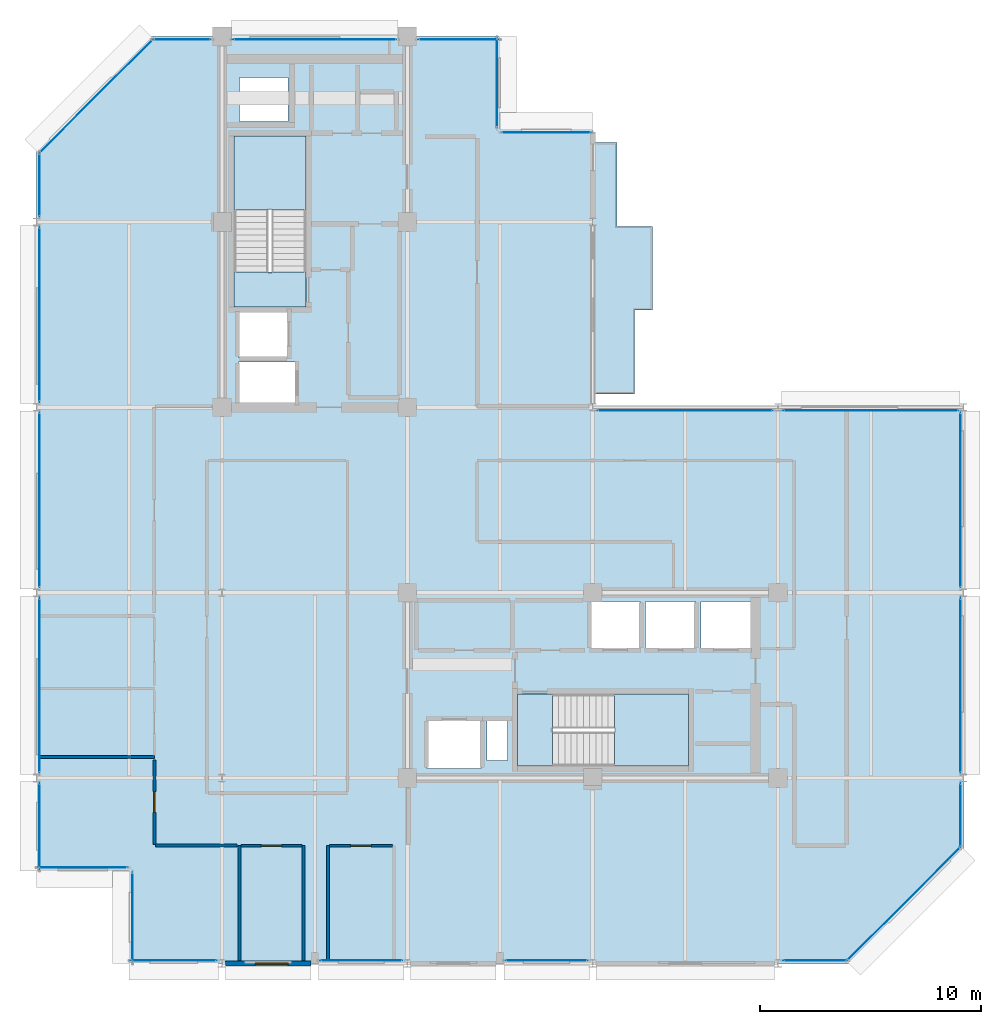
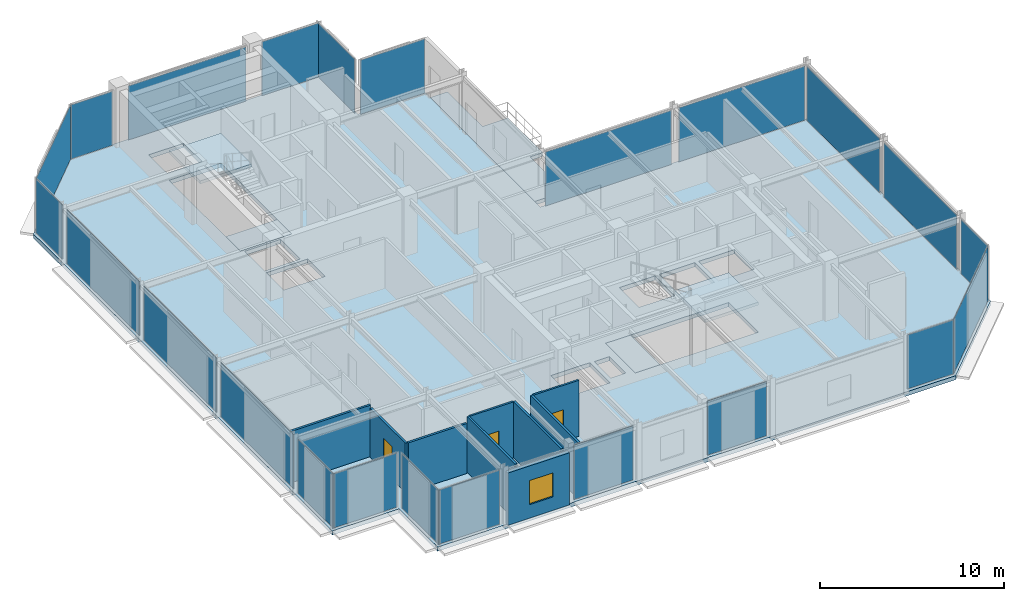
# One storey, part 20 of 27: 23 plates, 9 walls, 6 slabs, 3 doors, 1 window, 4 openings, 25 elements without a shape of their own.
"""IFC4 building model written with IfcOpenShell, lengths in metres."""

from ifc_helpers import new_model, si_unit, direction, frame, frame_2d, origin, origin_2d, place, context, subcontext, project, spatial, polyline, rectangle, outline, extrude, material, layer, layer_set, type_object, element, fill, aggregate, save


model = new_model("IFC4")

# Units and contexts
model_context = context("Model", 3, precision=1e-05, world=origin(), true_north=direction((0.0, 1.0)))
body_context = subcontext(model_context, "Body", "Model", "MODEL_VIEW")
ifc_project = project(units=[si_unit("LENGTHUNIT", "METRE"), si_unit("AREAUNIT", "SQUARE_METRE"), si_unit("VOLUMEUNIT", "CUBIC_METRE"), si_unit("PLANEANGLEUNIT", "RADIAN"), si_unit("MASSUNIT", "GRAM", prefix="KILO")], contexts=[model_context])

# Site, building, storey
site_placement = place(None, origin())
site = spatial("IfcSite", under=ifc_project, at=site_placement, CompositionType="ELEMENT")
building_placement = place(site_placement, origin())
building = spatial("IfcBuilding", under=site, at=building_placement, Name="Nerrivon Quay Data Exchange", CompositionType="ELEMENT")
storey_placement = place(building_placement, frame((0.0, 0.0, 278.199951171875)))
storey = spatial("IfcBuildingStorey", under=building, at=storey_placement, Name="L66", CompositionType="ELEMENT", Elevation=278.199951171875)

# Curtain wall, plate
ifc_material_1 = material(Name="Anodised aluminium 6063-T6", Category="aluminium")
ifc_layer_1 = layer(ifc_material_1, 0.195068359375)
ifc_layer_set_1 = layer_set([ifc_layer_1], Name="Anodised aluminium 6063-T6")
curtain_wall_type = type_object("IfcCurtainWallType", Name="CW-SYS-06", PredefinedType="NOTDEFINED", material=ifc_layer_set_1)
curtain_wall_1_placement = place(storey_placement, origin())
curtain_wall_1 = element("IfcCurtainWall", 1, at=curtain_wall_1_placement, inside=storey, type_object=curtain_wall_type, Name="L66 Unitised Curtain Wall 1", PredefinedType="NOTDEFINED")
ifc_material_2 = material(Name="Double-glazed low-E solar control glass", Category="glass")
ifc_layer_2 = layer(ifc_material_2, 0.028076171875)
ifc_layer_set_2 = layer_set([ifc_layer_2], Name="Double-glazed low-E solar control glass")
plate_type = type_object("IfcPlateType", Name="CWP-GLZ-28", PredefinedType="CURTAIN_PANEL", material=ifc_layer_set_2)
plate_1_placement = place(storey_placement, frame((39.301025390625, 2.698974609375, 0.06494140625), z_axis=(0.0, 0.0, 1.0), x_axis=(-0.707106781187, -0.707106781187, 0.0)))
plate_1 = element("IfcPlate", 2, at=plate_1_placement, type_object=plate_type, Name="CW06 panel 1.1", PredefinedType="CURTAIN_PANEL", context=body_context, shape_type="SweptSolid", body=[
    extrude(rectangle(XDim=7.203857421875, YDim=0.028076171875, at=origin_2d()), origin(), (0.0, 0.0, 1.0), 3.594970703125),
])
aggregate(curtain_wall_1, [plate_1])

curtain_wall_2_placement = place(storey_placement, origin())
curtain_wall_2 = element("IfcCurtainWall", 3, at=curtain_wall_2_placement, inside=storey, type_object=curtain_wall_type, Name="L66 Unitised Curtain Wall 2", PredefinedType="NOTDEFINED")
plate_2_placement = place(storey_placement, frame((35.27783203125, 0.139892578125, 0.06494140625), z_axis=(0.0, 0.0, 1.0), x_axis=(-1.0, 0.0, 0.0)))
plate_2 = element("IfcPlate", 4, at=plate_2_placement, type_object=plate_type, Name="CW06 panel 1.1", PredefinedType="CURTAIN_PANEL", context=body_context, shape_type="SweptSolid", body=[
    extrude(rectangle(XDim=2.89453125, YDim=0.028076171875, at=origin_2d()), origin(), (0.0, 0.0, 1.0), 3.594970703125),
])
aggregate(curtain_wall_2, [plate_2])

curtain_wall_3_placement = place(storey_placement, origin())
curtain_wall_3 = element("IfcCurtainWall", 5, at=curtain_wall_3_placement, inside=storey, type_object=curtain_wall_type, Name="L66 Unitised Curtain Wall 4", PredefinedType="NOTDEFINED")
plate_3_placement = place(storey_placement, frame((23.10986328125, 0.139892578125, 0.06494140625), z_axis=(0.0, 0.0, 1.0), x_axis=(-1.0, 0.0, 0.0)))
plate_3 = element("IfcPlate", 6, at=plate_3_placement, type_object=plate_type, Name="CW06 panel 1.1", PredefinedType="CURTAIN_PANEL", context=body_context, shape_type="SweptSolid", body=[
    extrude(rectangle(XDim=3.719482421875, YDim=0.028076171875, at=origin_2d()), origin(), (0.0, 0.0, 1.0), 3.594970703125),
])
aggregate(curtain_wall_3, [plate_3])

curtain_wall_4_placement = place(storey_placement, origin())
curtain_wall_4 = element("IfcCurtainWall", 7, at=curtain_wall_4_placement, inside=storey, type_object=curtain_wall_type, Name="L66 Unitised Curtain Wall 6", PredefinedType="NOTDEFINED")
plate_4_placement = place(storey_placement, frame((14.709716796875, 0.139892578125, 0.06494140625), z_axis=(0.0, 0.0, 1.0), x_axis=(-1.0, 0.0, 0.0)))
plate_4 = element("IfcPlate", 8, at=plate_4_placement, type_object=plate_type, Name="CW06 panel 1.1", PredefinedType="CURTAIN_PANEL", context=body_context, shape_type="SweptSolid", body=[
    extrude(rectangle(XDim=3.719482421875, YDim=0.028076171875, at=origin_2d()), origin(), (0.0, 0.0, 1.0), 3.594970703125),
])
aggregate(curtain_wall_4, [plate_4])

curtain_wall_5_placement = place(storey_placement, origin())
curtain_wall_5 = element("IfcCurtainWall", 9, at=curtain_wall_5_placement, inside=storey, type_object=curtain_wall_type, Name="L66 Unitised Curtain Wall 8", PredefinedType="NOTDEFINED")
plate_5_placement = place(storey_placement, frame((6.22216796875, 0.139892578125, 0.06494140625), z_axis=(0.0, 0.0, 1.0), x_axis=(-1.0, 0.0, 0.0)))
plate_5 = element("IfcPlate", 10, at=plate_5_placement, type_object=plate_type, Name="CW06 panel 1.1", PredefinedType="CURTAIN_PANEL", context=body_context, shape_type="SweptSolid", body=[
    extrude(rectangle(XDim=3.89453125, YDim=0.028076171875, at=origin_2d()), origin(), (0.0, 0.0, 1.0), 3.594970703125),
])
aggregate(curtain_wall_5, [plate_5])

curtain_wall_6_placement = place(storey_placement, origin())
curtain_wall_6 = element("IfcCurtainWall", 11, at=curtain_wall_6_placement, inside=storey, type_object=curtain_wall_type, Name="L66 Unitised Curtain Wall 9", PredefinedType="NOTDEFINED")
plate_6_placement = place(storey_placement, frame((4.340087890625, 2.10009765625, 0.06494140625), z_axis=(0.0, 0.0, 1.0), x_axis=(0.0, 1.0, 0.0)))
plate_6 = element("IfcPlate", 12, at=plate_6_placement, type_object=plate_type, Name="CW06 panel 1.1", PredefinedType="CURTAIN_PANEL", context=body_context, shape_type="SweptSolid", body=[
    extrude(rectangle(XDim=4.050048828125, YDim=0.028076171875, at=origin_2d()), origin(), (0.0, 0.0, 1.0), 3.594970703125),
])
aggregate(curtain_wall_6, [plate_6])

curtain_wall_7_placement = place(storey_placement, origin())
curtain_wall_7 = element("IfcCurtainWall", 13, at=curtain_wall_7_placement, inside=storey, type_object=curtain_wall_type, Name="L66 Unitised Curtain Wall 10", PredefinedType="NOTDEFINED")
plate_7_placement = place(storey_placement, frame((2.10009765625, 4.340087890625, 0.06494140625), z_axis=(0.0, 0.0, 1.0), x_axis=(-1.0, 0.0, 0.0)))
plate_7 = element("IfcPlate", 14, at=plate_7_placement, type_object=plate_type, Name="CW06 panel 1.1", PredefinedType="CURTAIN_PANEL", context=body_context, shape_type="SweptSolid", body=[
    extrude(rectangle(XDim=4.050048828125, YDim=0.028076171875, at=origin_2d()), origin(), (0.0, 0.0, 1.0), 3.594970703125),
])
aggregate(curtain_wall_7, [plate_7])

curtain_wall_8_placement = place(storey_placement, origin())
curtain_wall_8 = element("IfcCurtainWall", 15, at=curtain_wall_8_placement, inside=storey, type_object=curtain_wall_type, Name="L66 Unitised Curtain Wall 11", PredefinedType="NOTDEFINED")
plate_8_placement = place(storey_placement, frame((0.139892578125, 6.21826171875, 0.06494140625), z_axis=(0.0, 0.0, 1.0), x_axis=(0.0, 1.0, 0.0)))
plate_8 = element("IfcPlate", 16, at=plate_8_placement, type_object=plate_type, Name="CW06 panel 1.1", PredefinedType="CURTAIN_PANEL", context=body_context, shape_type="SweptSolid", body=[
    extrude(rectangle(XDim=3.886474609375, YDim=0.028076171875, at=origin_2d()), origin(), (0.0, 0.0, 1.0), 3.594970703125),
])
aggregate(curtain_wall_8, [plate_8])

curtain_wall_9_placement = place(storey_placement, origin())
curtain_wall_9 = element("IfcCurtainWall", 17, at=curtain_wall_9_placement, inside=storey, type_object=curtain_wall_type, Name="L66 Unitised Curtain Wall 12", PredefinedType="NOTDEFINED")
plate_9_placement = place(storey_placement, frame((0.139892578125, 12.60009765625, 0.06494140625), z_axis=(0.0, 0.0, 1.0), x_axis=(0.0, 1.0, 0.0)))
plate_9 = element("IfcPlate", 18, at=plate_9_placement, type_object=plate_type, Name="CW06 panel 1.1", PredefinedType="CURTAIN_PANEL", context=body_context, shape_type="SweptSolid", body=[
    extrude(rectangle(XDim=7.923095703125, YDim=0.028076171875, at=origin_2d()), origin(), (0.0, 0.0, 1.0), 3.594970703125),
])
aggregate(curtain_wall_9, [plate_9])

curtain_wall_10_placement = place(storey_placement, origin())
curtain_wall_10 = element("IfcCurtainWall", 19, at=curtain_wall_10_placement, inside=storey, type_object=curtain_wall_type, Name="L66 Unitised Curtain Wall 13", PredefinedType="NOTDEFINED")
plate_10_placement = place(storey_placement, frame((0.139892578125, 21.0, 0.06494140625), z_axis=(0.0, 0.0, 1.0), x_axis=(0.0, 1.0, 0.0)))
plate_10 = element("IfcPlate", 20, at=plate_10_placement, type_object=plate_type, Name="CW06 panel 1.1", PredefinedType="CURTAIN_PANEL", context=body_context, shape_type="SweptSolid", body=[
    extrude(rectangle(XDim=7.923095703125, YDim=0.028076171875, at=origin_2d()), origin(), (0.0, 0.0, 1.0), 3.594970703125),
])
aggregate(curtain_wall_10, [plate_10])

curtain_wall_11_placement = place(storey_placement, origin())
curtain_wall_11 = element("IfcCurtainWall", 21, at=curtain_wall_11_placement, inside=storey, type_object=curtain_wall_type, Name="L66 Unitised Curtain Wall 14", PredefinedType="NOTDEFINED")
plate_11_placement = place(storey_placement, frame((0.139892578125, 29.39990234375, 0.06494140625), z_axis=(0.0, 0.0, 1.0), x_axis=(0.0, 1.0, 0.0)))
plate_11 = element("IfcPlate", 22, at=plate_11_placement, type_object=plate_type, Name="CW06 panel 1.1", PredefinedType="CURTAIN_PANEL", context=body_context, shape_type="SweptSolid", body=[
    extrude(rectangle(XDim=7.923095703125, YDim=0.028076171875, at=origin_2d()), origin(), (0.0, 0.0, 1.0), 3.594970703125),
])
aggregate(curtain_wall_11, [plate_11])

curtain_wall_12_placement = place(storey_placement, origin())
curtain_wall_12 = element("IfcCurtainWall", 23, at=curtain_wall_12_placement, inside=storey, type_object=curtain_wall_type, Name="L66 Unitised Curtain Wall 15", PredefinedType="NOTDEFINED")
plate_12_placement = place(storey_placement, frame((0.139892578125, 35.28173828125, 0.06494140625), z_axis=(0.0, 0.0, 1.0), x_axis=(0.0, 1.0, 0.0)))
plate_12 = element("IfcPlate", 24, at=plate_12_placement, type_object=plate_type, Name="CW06 panel 1.1", PredefinedType="CURTAIN_PANEL", context=body_context, shape_type="SweptSolid", body=[
    extrude(rectangle(XDim=2.886474609375, YDim=0.028076171875, at=origin_2d()), origin(), (0.0, 0.0, 1.0), 3.594970703125),
])
aggregate(curtain_wall_12, [plate_12])

curtain_wall_13_placement = place(storey_placement, origin())
curtain_wall_13 = element("IfcCurtainWall", 25, at=curtain_wall_13_placement, inside=storey, type_object=curtain_wall_type, Name="L66 Unitised Curtain Wall 16", PredefinedType="NOTDEFINED")
plate_13_placement = place(storey_placement, frame((2.698974609375, 39.301025390625, 0.06494140625), z_axis=(0.0, 0.0, 1.0), x_axis=(0.707106781187, 0.707106781187, 0.0)))
plate_13 = element("IfcPlate", 26, at=plate_13_placement, type_object=plate_type, Name="CW06 panel 1.1", PredefinedType="CURTAIN_PANEL", context=body_context, shape_type="SweptSolid", body=[
    extrude(rectangle(XDim=7.203857421875, YDim=0.028076171875, at=origin_2d()), origin(), (0.0, 0.0, 1.0), 3.594970703125),
])
aggregate(curtain_wall_13, [plate_13])

curtain_wall_14_placement = place(storey_placement, origin())
curtain_wall_14 = element("IfcCurtainWall", 27, at=curtain_wall_14_placement, inside=storey, type_object=curtain_wall_type, Name="L66 Unitised Curtain Wall 17", PredefinedType="NOTDEFINED")
plate_14_placement = place(storey_placement, frame((6.58740234375, 41.860107421875, 0.06494140625), z_axis=(0.0, 0.0, 1.0), x_axis=(1.0, 0.0, 0.0)))
plate_14 = element("IfcPlate", 28, at=plate_14_placement, type_object=plate_type, Name="CW06 panel 1.1", PredefinedType="CURTAIN_PANEL", context=body_context, shape_type="SweptSolid", body=[
    extrude(rectangle(XDim=2.625, YDim=0.028076171875, at=origin_2d()), origin(), (0.0, 0.0, 1.0), 3.594970703125),
])
aggregate(curtain_wall_14, [plate_14])

curtain_wall_15_placement = place(storey_placement, origin())
curtain_wall_15 = element("IfcCurtainWall", 29, at=curtain_wall_15_placement, inside=storey, type_object=curtain_wall_type, Name="L66 Unitised Curtain Wall 18", PredefinedType="NOTDEFINED")
plate_15_placement = place(storey_placement, frame((12.60009765625, 41.860107421875, 0.06494140625), z_axis=(0.0, 0.0, 1.0), x_axis=(1.0, 0.0, 0.0)))
plate_15 = element("IfcPlate", 30, at=plate_15_placement, type_object=plate_type, Name="CW06 panel 1.1", PredefinedType="CURTAIN_PANEL", context=body_context, shape_type="SweptSolid", body=[
    extrude(rectangle(XDim=7.39990234375, YDim=0.028076171875, at=origin_2d()), origin(), (0.0, 0.0, 1.0), 3.594970703125),
])
aggregate(curtain_wall_15, [plate_15])

curtain_wall_16_placement = place(storey_placement, origin())
curtain_wall_16 = element("IfcCurtainWall", 31, at=curtain_wall_16_placement, inside=storey, type_object=curtain_wall_type, Name="L66 Unitised Curtain Wall 19", PredefinedType="NOTDEFINED")
plate_16_placement = place(storey_placement, frame((19.112548828125, 41.860107421875, 0.06494140625), z_axis=(0.0, 0.0, 1.0), x_axis=(1.0, 0.0, 0.0)))
plate_16 = element("IfcPlate", 32, at=plate_16_placement, type_object=plate_type, Name="CW06 panel 1.1", PredefinedType="CURTAIN_PANEL", context=body_context, shape_type="SweptSolid", body=[
    extrude(rectangle(XDim=3.625, YDim=0.028076171875, at=origin_2d()), origin(), (0.0, 0.0, 1.0), 3.594970703125),
])
aggregate(curtain_wall_16, [plate_16])

curtain_wall_17_placement = place(storey_placement, origin())
curtain_wall_17 = element("IfcCurtainWall", 33, at=curtain_wall_17_placement, inside=storey, type_object=curtain_wall_type, Name="L66 Unitised Curtain Wall 20", PredefinedType="NOTDEFINED")
plate_17_placement = place(storey_placement, frame((20.860107421875, 39.89990234375, 0.06494140625), z_axis=(0.0, 0.0, 1.0), x_axis=(0.0, -1.0, 0.0)))
plate_17 = element("IfcPlate", 34, at=plate_17_placement, type_object=plate_type, Name="CW06 panel 1.1", PredefinedType="CURTAIN_PANEL", context=body_context, shape_type="SweptSolid", body=[
    extrude(rectangle(XDim=4.050048828125, YDim=0.028076171875, at=origin_2d()), origin(), (0.0, 0.0, 1.0), 3.594970703125),
])
aggregate(curtain_wall_17, [plate_17])

curtain_wall_18_placement = place(storey_placement, origin())
curtain_wall_18 = element("IfcCurtainWall", 35, at=curtain_wall_18_placement, inside=storey, type_object=curtain_wall_type, Name="L66 Unitised Curtain Wall 21", PredefinedType="NOTDEFINED")
plate_18_placement = place(storey_placement, frame((23.10009765625, 37.659912109375, 0.06494140625), z_axis=(0.0, 0.0, 1.0), x_axis=(1.0, 0.0, 0.0)))
plate_18 = element("IfcPlate", 36, at=plate_18_placement, type_object=plate_type, Name="CW06 panel 1.1", PredefinedType="CURTAIN_PANEL", context=body_context, shape_type="SweptSolid", body=[
    extrude(rectangle(XDim=4.050048828125, YDim=0.028076171875, at=origin_2d()), origin(), (0.0, 0.0, 1.0), 3.594970703125),
])
aggregate(curtain_wall_18, [plate_18])

curtain_wall_19_placement = place(storey_placement, origin())
curtain_wall_19 = element("IfcCurtainWall", 37, at=curtain_wall_19_placement, inside=storey, type_object=curtain_wall_type, Name="L66 Unitised Curtain Wall 24", PredefinedType="NOTDEFINED")
plate_19_placement = place(storey_placement, frame((29.39990234375, 25.06005859375, 0.06494140625), z_axis=(0.0, 0.0, 1.0), x_axis=(1.0, 0.0, 0.0)))
plate_19 = element("IfcPlate", 38, at=plate_19_placement, type_object=plate_type, Name="CW06 panel 1.1", PredefinedType="CURTAIN_PANEL", context=body_context, shape_type="SweptSolid", body=[
    extrude(rectangle(XDim=7.93896484375, YDim=0.028076171875, at=origin_2d()), origin(), (0.0, 0.0, 1.0), 3.594970703125),
])
aggregate(curtain_wall_19, [plate_19])

curtain_wall_20_placement = place(storey_placement, origin())
curtain_wall_20 = element("IfcCurtainWall", 39, at=curtain_wall_20_placement, inside=storey, type_object=curtain_wall_type, Name="L66 Unitised Curtain Wall 25", PredefinedType="NOTDEFINED")
plate_20_placement = place(storey_placement, frame((37.800048828125, 25.06005859375, 0.06494140625), z_axis=(0.0, 0.0, 1.0), x_axis=(1.0, 0.0, 0.0)))
plate_20 = element("IfcPlate", 40, at=plate_20_placement, type_object=plate_type, Name="CW06 panel 1.1", PredefinedType="CURTAIN_PANEL", context=body_context, shape_type="SweptSolid", body=[
    extrude(rectangle(XDim=7.93896484375, YDim=0.028076171875, at=origin_2d()), origin(), (0.0, 0.0, 1.0), 3.594970703125),
])
aggregate(curtain_wall_20, [plate_20])

curtain_wall_21_placement = place(storey_placement, origin())
curtain_wall_21 = element("IfcCurtainWall", 41, at=curtain_wall_21_placement, inside=storey, type_object=curtain_wall_type, Name="L66 Unitised Curtain Wall 26", PredefinedType="NOTDEFINED")
plate_21_placement = place(storey_placement, frame((41.860107421875, 21.0, 0.06494140625), z_axis=(0.0, 0.0, 1.0), x_axis=(0.0, -1.0, 0.0)))
plate_21 = element("IfcPlate", 42, at=plate_21_placement, type_object=plate_type, Name="CW06 panel 1.1", PredefinedType="CURTAIN_PANEL", context=body_context, shape_type="SweptSolid", body=[
    extrude(rectangle(XDim=7.923095703125, YDim=0.028076171875, at=origin_2d()), origin(), (0.0, 0.0, 1.0), 3.594970703125),
])
aggregate(curtain_wall_21, [plate_21])

curtain_wall_22_placement = place(storey_placement, origin())
curtain_wall_22 = element("IfcCurtainWall", 43, at=curtain_wall_22_placement, inside=storey, type_object=curtain_wall_type, Name="L66 Unitised Curtain Wall 27", PredefinedType="NOTDEFINED")
plate_22_placement = place(storey_placement, frame((41.860107421875, 12.60009765625, 0.06494140625), z_axis=(0.0, 0.0, 1.0), x_axis=(0.0, -1.0, 0.0)))
plate_22 = element("IfcPlate", 44, at=plate_22_placement, type_object=plate_type, Name="CW06 panel 1.1", PredefinedType="CURTAIN_PANEL", context=body_context, shape_type="SweptSolid", body=[
    extrude(rectangle(XDim=7.923095703125, YDim=0.028076171875, at=origin_2d()), origin(), (0.0, 0.0, 1.0), 3.594970703125),
])
aggregate(curtain_wall_22, [plate_22])

curtain_wall_23_placement = place(storey_placement, origin())
curtain_wall_23 = element("IfcCurtainWall", 45, at=curtain_wall_23_placement, inside=storey, type_object=curtain_wall_type, Name="L66 Unitised Curtain Wall 28", PredefinedType="NOTDEFINED")
plate_23_placement = place(storey_placement, frame((41.860107421875, 6.71826171875, 0.06494140625), z_axis=(0.0, 0.0, 1.0), x_axis=(0.0, -1.0, 0.0)))
plate_23 = element("IfcPlate", 46, at=plate_23_placement, type_object=plate_type, Name="CW06 panel 1.1", PredefinedType="CURTAIN_PANEL", context=body_context, shape_type="SweptSolid", body=[
    extrude(rectangle(XDim=2.886474609375, YDim=0.028076171875, at=origin_2d()), origin(), (0.0, 0.0, 1.0), 3.594970703125),
])
aggregate(curtain_wall_23, [plate_23])

# Slab
ifc_material_3 = material(Name="Precast white architectural concrete N50 (50 MPa)", Category="concrete")
ifc_layer_3 = layer(ifc_material_3, 0.25)
ifc_layer_set_3 = layer_set([ifc_layer_3], Name="Precast white architectural concrete N50 (50 MPa)")
slab_type_1 = type_object("IfcSlabType", Name="SLB-BAL-250", PredefinedType="FLOOR", material=ifc_layer_set_3)
slab_1_placement = place(storey_placement, frame((0.0, 0.0, -0.25)))
element("IfcSlab", 47, at=slab_1_placement, inside=storey, type_object=slab_type_1, Name="L66 Waterfront Subtropical Verandah", PredefinedType="FLOOR", context=body_context, shape_type="SweptSolid", body=[
    extrude(outline(polyline([(27.10009765625, 29.60009765625), (27.89990234375, 29.60009765625), (27.89990234375, 33.39990234375), (26.300048828125, 33.39990234375), (26.300048828125, 37.199951171875), (25.199951171875, 37.199951171875), (25.199951171875, 33.39990234375), (25.199951171875, 29.60009765625), (25.199951171875, 25.800048828125), (27.10009765625, 25.800048828125), (27.10009765625, 29.60009765625)])), origin(), (0.0, 0.0, 1.0), 0.25),
])

# Stair, slab
ifc_material_4 = material(Name="Concrete N50 (50 MPa)", Category="concrete")
stair_type = type_object("IfcStairType", Name="STAIR-DOG-40", PredefinedType="HALF_TURN_STAIR", material=ifc_material_4)
stair_1_placement = place(storey_placement, origin())
stair_1 = element("IfcStair", 48, at=stair_1_placement, inside=storey, type_object=stair_type, Name="L66 West Core Fire Stair ST01", PredefinedType="HALF_TURN_STAIR")
ifc_layer_4 = layer(ifc_material_4, 0.199951171875)
ifc_layer_set_4 = layer_set([ifc_layer_4], Name="Concrete N50 (50 MPa)")
slab_type_2 = type_object("IfcSlabType", Name="SLB-LAND-200", PredefinedType="LANDING", material=ifc_layer_set_4)
slab_2_placement = place(storey_placement, frame((0.0, 0.0, 1.800048828125)))
slab_2 = element("IfcSlab", 49, at=slab_2_placement, type_object=slab_type_2, Name="ST01 landing 1", PredefinedType="LANDING", context=body_context, shape_type="SweptSolid", body=[
    extrude(outline(polyline([(12.199951171875, 34.1298828125), (12.199951171875, 37.5), (8.949951171875, 37.5), (8.949951171875, 34.1298828125), (12.199951171875, 34.1298828125)])), origin(), (0.0, 0.0, 1.0), 0.199951171875),
])
aggregate(stair_1, [slab_2])

# Slab
slab_3_placement = place(storey_placement, frame((0.0, 0.0, -0.199951171875)))
element("IfcSlab", 50, at=slab_3_placement, inside=storey, type_object=slab_type_2, Name="L66 ST01 floor landing", PredefinedType="LANDING", context=body_context, shape_type="SweptSolid", body=[
    extrude(outline(polyline([(12.199951171875, 29.75), (12.199951171875, 31.330078125), (8.949951171875, 31.330078125), (8.949951171875, 29.75), (12.199951171875, 29.75)])), origin(), (0.0, 0.0, 1.0), 0.199951171875),
])

# Stair, slab
stair_2_placement = place(storey_placement, origin())
stair_2 = element("IfcStair", 51, at=stair_2_placement, inside=storey, type_object=stair_type, Name="L66 East Core Fire Stair ST02", PredefinedType="HALF_TURN_STAIR")
slab_4_placement = place(storey_placement, frame((0.0, 0.0, 1.800048828125)))
slab_4 = element("IfcSlab", 52, at=slab_4_placement, type_object=slab_type_2, Name="ST02 landing 1", PredefinedType="LANDING", context=body_context, shape_type="SweptSolid", body=[
    extrude(outline(polyline([(26.179931640625, 8.949951171875), (29.550048828125, 8.949951171875), (29.550048828125, 12.199951171875), (26.179931640625, 12.199951171875), (26.179931640625, 8.949951171875)])), origin(), (0.0, 0.0, 1.0), 0.199951171875),
])
aggregate(stair_2, [slab_4])

# Slabs
slab_5_placement = place(storey_placement, frame((0.0, 0.0, -0.199951171875)))
element("IfcSlab", 53, at=slab_5_placement, inside=storey, type_object=slab_type_2, Name="L66 ST02 floor landing", PredefinedType="LANDING", context=body_context, shape_type="SweptSolid", body=[
    extrude(outline(polyline([(21.800048828125, 8.949951171875), (23.3798828125, 8.949951171875), (23.3798828125, 12.199951171875), (21.800048828125, 12.199951171875), (21.800048828125, 8.949951171875)])), origin(), (0.0, 0.0, 1.0), 0.199951171875),
])
ifc_layer_5 = layer(ifc_material_4, 0.27490234375)
ifc_layer_set_5 = layer_set([ifc_layer_5], Name="Concrete N50 (50 MPa)")
slab_type_3 = type_object("IfcSlabType", Name="SLB-TOW-275", PredefinedType="FLOOR", material=ifc_layer_set_5)
slab_6_placement = place(storey_placement, frame((0.0, 0.0, -0.27490234375)))
element("IfcSlab", 54, at=slab_6_placement, inside=storey, type_object=slab_type_3, Name="L66 Primary Structural Slab", PredefinedType="FLOOR", context=body_context, shape_type="SweptSolid", body=[
    extrude(outline(polyline([(42.0, 25.199951171875), (25.199951171875, 25.199951171875), (25.199951171875, 37.800048828125), (21.0, 37.800048828125), (21.0, 42.0), (5.199951171875, 42.0), (0.0, 36.800048828125), (0.0, 4.199951171875), (4.199951171875, 4.199951171875), (4.199951171875, 0.0), (36.800048828125, 0.0), (42.0, 5.199951171875), (42.0, 25.199951171875)]), holes=[polyline([(8.949951171875, 29.75), (8.949951171875, 37.5), (12.199951171875, 37.5), (12.199951171875, 29.75), (8.949951171875, 29.75)]), polyline([(21.800048828125, 12.199951171875), (29.550048828125, 12.199951171875), (29.550048828125, 8.949951171875), (21.800048828125, 8.949951171875), (21.800048828125, 12.199951171875)]), polyline([(30.10009765625, 14.25), (30.10009765625, 16.39990234375), (32.35009765625, 16.39990234375), (32.35009765625, 14.25), (30.10009765625, 14.25)]), polyline([(27.60009765625, 14.25), (27.60009765625, 16.39990234375), (29.85009765625, 16.39990234375), (29.85009765625, 14.25), (27.60009765625, 14.25)]), polyline([(25.10009765625, 14.25), (25.10009765625, 16.39990234375), (27.35009765625, 16.39990234375), (27.35009765625, 14.25), (25.10009765625, 14.25)]), polyline([(20.39990234375, 9.199951171875), (20.39990234375, 11.0), (21.35009765625, 11.0), (21.35009765625, 9.199951171875), (20.39990234375, 9.199951171875)]), polyline([(17.699951171875, 8.830078125), (17.699951171875, 11.030029296875), (20.14990234375, 11.030029296875), (20.14990234375, 8.830078125), (17.699951171875, 8.830078125)]), polyline([(9.14990234375, 25.35009765625), (9.14990234375, 27.25), (11.75, 27.25), (11.75, 25.35009765625), (9.14990234375, 25.35009765625)]), polyline([(9.14990234375, 27.449951171875), (9.14990234375, 29.60009765625), (11.39990234375, 29.60009765625), (11.39990234375, 27.449951171875), (9.14990234375, 27.449951171875)]), polyline([(9.199951171875, 38.14990234375), (9.199951171875, 40.14990234375), (11.39990234375, 40.14990234375), (11.39990234375, 38.14990234375), (9.199951171875, 38.14990234375)])]), origin(), (0.0, 0.0, 1.0), 0.27490234375),
])

# Wall, opening, window
ifc_material_5 = material(Name="Architectural terracotta precast concrete N50 (50 MPa)", Category="masonry")
ifc_layer_6 = layer(ifc_material_5, 0.239990234375)
ifc_layer_set_6 = layer_set([ifc_layer_6], Name="Architectural terracotta precast concrete N50 (50 MPa)")
wall_type_1 = type_object("IfcWallType", Name="EW-PREC-240", PredefinedType="STANDARD", material=ifc_layer_set_6)
wall_1_placement = place(storey_placement, frame((12.425048828125, 0.0, 0.0), z_axis=(0.0, 0.0, 1.0), x_axis=(-1.0, 0.0, 0.0)))
wall_1 = element("IfcWall", 55, at=wall_1_placement, inside=storey, type_object=wall_type_1, Name="L66 Podium Precast Spandrel Wall 7", PredefinedType="STANDARD", context=body_context, shape_type="SweptSolid", body=[
    extrude(rectangle(XDim=3.86962890625, YDim=0.239990234375, at=frame_2d((1.934814453125, 0.0))), origin(), (0.0, 0.0, 1.0), 3.47509765625),
])
opening_1_placement = place(wall_1_placement, frame((1.02490234375, 0.0, 0.89990234375)))
opening_1 = element("IfcOpeningElement", 56, at=opening_1_placement, cuts=wall_1, Name="Opening WN4", PredefinedType="OPENING", context=body_context, shape_type="SweptSolid", body=[
    extrude(rectangle(XDim=1.5, YDim=1.60009765625, at=frame_2d((0.75, 0.800048828125))), frame((0.0, 0.1298828125, 0.0), z_axis=(0.0, -1.0, 0.0), x_axis=(1.0, 0.0, 0.0)), (0.0, 0.0, 1.0), 0.260009765625),
])
window_type = type_object("IfcWindowType", Name="WIN-W4-1500x1600", PartitioningType="SINGLE_PANEL", PredefinedType="WINDOW", material=ifc_material_2)
window_placement = place(opening_1_placement, origin())
window = element("IfcWindow", 57, at=window_placement, inside=storey, type_object=window_type, Name="L66 Solar Facade Window 7", OverallHeight=1.60009765625, OverallWidth=1.5, PartitioningType="SINGLE_PANEL", PredefinedType="WINDOW", context=body_context, shape_type="SweptSolid", body=[
    extrude(rectangle(XDim=1.5, YDim=1.60009765625, at=frame_2d((0.75, 0.800048828125))), frame((0.0, 0.030029296875, 0.0), z_axis=(0.0, -1.0, 0.0), x_axis=(1.0, 0.0, 0.0)), (0.0, 0.0, 1.0), 0.06005859375),
])
fill(opening_1, window)

# Wall, opening, door
ifc_material_6 = material(Name="Gypsum plasterboard on cold-formed framing", Category="gypsum")
ifc_layer_7 = layer(ifc_material_6, 0.1201171875)
ifc_layer_set_7 = layer_set([ifc_layer_7], Name="Gypsum plasterboard on cold-formed framing")
wall_type_2 = type_object("IfcWallType", Name="WALL-PT-120", PredefinedType="PARTITIONING", material=ifc_layer_set_7)
wall_2_placement = place(storey_placement, frame((12.028564453125, 5.340087890625, 0.0), z_axis=(0.0, 0.0, 1.0), x_axis=(-1.0, 0.0, 0.0)))
wall_2 = element("IfcWall", 58, at=wall_2_placement, inside=storey, type_object=wall_type_2, Name="L66 Partition Staff Shower Block", PredefinedType="PARTITIONING", context=body_context, shape_type="SweptSolid", body=[
    extrude(rectangle(XDim=2.757080078125, YDim=0.1201171875, at=frame_2d((1.37841796875, 0.0))), origin(), (0.0, 0.0, 1.0), 3.72509765625),
])
opening_2_placement = place(wall_2_placement, frame((0.91845703125, 0.0, 0.0)))
opening_2 = element("IfcOpeningElement", 59, at=opening_2_placement, cuts=wall_2, Name="Opening D-WC", PredefinedType="OPENING", context=body_context, shape_type="SweptSolid", body=[
    extrude(rectangle(XDim=0.919921875, YDim=2.10009765625, at=frame_2d((0.4599609375, 1.050048828125))), frame((0.0, 0.070068359375, 0.0), z_axis=(0.0, -1.0, 0.0), x_axis=(1.0, 0.0, 0.0)), (0.0, 0.0, 1.0), 0.14013671875),
])
ifc_material_7 = material(Name="Engineered hardwood timber", Category="wood")
door_type_1 = type_object("IfcDoorType", Name="DR-WC-920", OperationType="NOTDEFINED", PredefinedType="DOOR", material=ifc_material_7)
door_1_placement = place(opening_2_placement, origin())
door_1 = element("IfcDoor", 60, at=door_1_placement, inside=storey, type_object=door_type_1, Name="L66 Door Staff Shower Block", OperationType="SINGLE_SWING_LEFT", OverallHeight=2.10009765625, OverallWidth=0.919921875, PredefinedType="DOOR", context=body_context, shape_type="SweptSolid", body=[
    extrude(rectangle(XDim=0.919921875, YDim=2.10009765625, at=frame_2d((0.4599609375, 1.050048828125))), frame((0.0, 0.02490234375, 0.0), z_axis=(0.0, -1.0, 0.0), x_axis=(1.0, 0.0, 0.0)), (0.0, 0.0, 1.0), 0.050048828125),
])
fill(opening_2, door_1)

wall_3_placement = place(storey_placement, frame((16.12841796875, 5.340087890625, 0.0), z_axis=(0.0, 0.0, 1.0), x_axis=(-1.0, 0.0, 0.0)))
wall_3 = element("IfcWall", 61, at=wall_3_placement, inside=storey, type_object=wall_type_2, Name="L66 Partition Accessible Unisex Toilet", PredefinedType="PARTITIONING", context=body_context, shape_type="SweptSolid", body=[
    extrude(rectangle(XDim=2.85693359375, YDim=0.1201171875, at=frame_2d((1.428466796875, 0.0))), origin(), (0.0, 0.0, 1.0), 3.72509765625),
])
opening_3_placement = place(wall_3_placement, frame((0.968505859375, 0.0, 0.0)))
opening_3 = element("IfcOpeningElement", 62, at=opening_3_placement, cuts=wall_3, Name="Opening D-WC", PredefinedType="OPENING", context=body_context, shape_type="SweptSolid", body=[
    extrude(rectangle(XDim=0.919921875, YDim=2.10009765625, at=frame_2d((0.4599609375, 1.050048828125))), frame((0.0, 0.070068359375, 0.0), z_axis=(0.0, -1.0, 0.0), x_axis=(1.0, 0.0, 0.0)), (0.0, 0.0, 1.0), 0.14013671875),
])
door_2_placement = place(opening_3_placement, origin())
door_2 = element("IfcDoor", 63, at=door_2_placement, inside=storey, type_object=door_type_1, Name="L66 Door Accessible Unisex Toilet", OperationType="SINGLE_SWING_RIGHT", OverallHeight=2.10009765625, OverallWidth=0.919921875, PredefinedType="DOOR", context=body_context, shape_type="SweptSolid", body=[
    extrude(rectangle(XDim=0.919921875, YDim=2.10009765625, at=frame_2d((0.4599609375, 1.050048828125))), frame((0.0, 0.02490234375, 0.0), z_axis=(0.0, -1.0, 0.0), x_axis=(1.0, 0.0, 0.0)), (0.0, 0.0, 1.0), 0.050048828125),
])
fill(opening_3, door_2)

# Walls
ifc_layer_8 = layer(ifc_material_6, 0.135009765625)
ifc_layer_set_8 = layer_set([ifc_layer_8], Name="Gypsum plasterboard on cold-formed framing")
wall_type_3 = type_object("IfcWallType", Name="WALL-PT-135", PredefinedType="PARTITIONING", material=ifc_layer_set_8)
wall_4_placement = place(storey_placement, frame((0.1689453125, 9.35009765625, 0.0), z_axis=(0.0, 0.0, 1.0), x_axis=(1.0, 0.0, 0.0)))
element("IfcWall", 64, at=wall_4_placement, inside=storey, type_object=wall_type_3, Name="L66 Partition Accessible Toilet", PredefinedType="PARTITIONING", context=body_context, shape_type="SweptSolid", body=[
    extrude(rectangle(XDim=5.171142578125, YDim=0.135009765625, at=frame_2d((2.58544921875, 0.0))), origin(), (0.0, 0.0, 1.0), 3.421142578125),
])
for number, where, z_axis, x_axis, name in (
    (65, (9.199951171875, 5.340087890625, 0.0), (0.0, 0.0, 1.0), (0.0, -1.0, 0.0), "L66 Partition Staff Shower Block"),
    (66, (12.10009765625, 0.1240234375, 0.0), (0.0, 0.0, 1.0), (0.0, 1.0, 0.0), "L66 Partition Staff Shower Block"),
):
    element("IfcWall", number, at=place(storey_placement, frame(where, z_axis=z_axis, x_axis=x_axis)), inside=storey, type_object=wall_type_3, Name=name, PredefinedType="PARTITIONING", context=body_context, shape_type="SweptSolid", body=[
        extrude(rectangle(XDim=5.216064453125, YDim=0.135009765625, at=frame_2d((2.60791015625, 0.0))), origin(), (0.0, 0.0, 1.0), 3.72509765625),
    ])
wall_5_placement = place(storey_placement, frame((13.199951171875, 5.340087890625, 0.0), z_axis=(0.0, 0.0, 1.0), x_axis=(0.0, -1.0, 0.0)))
element("IfcWall", 67, at=wall_5_placement, inside=storey, type_object=wall_type_3, Name="L66 Partition Accessible Unisex Toilet", PredefinedType="PARTITIONING", context=body_context, shape_type="SweptSolid", body=[
    extrude(rectangle(XDim=5.171142578125, YDim=0.135009765625, at=frame_2d((2.58544921875, 0.0))), origin(), (0.0, 0.0, 1.0), 3.72509765625),
])
wall_6_placement = place(storey_placement, frame((9.080078125, 5.340087890625, 0.0), z_axis=(0.0, 0.0, 1.0), x_axis=(-1.0, 0.0, 0.0)))
element("IfcWall", 68, at=wall_6_placement, inside=storey, type_object=wall_type_3, Name="L66 Partition Staff Pantry", PredefinedType="PARTITIONING", context=body_context, shape_type="SweptSolid", body=[
    extrude(rectangle(XDim=3.68017578125, YDim=0.135009765625, at=frame_2d((1.840087890625, 0.0))), origin(), (0.0, 0.0, 1.0), 3.319091796875),
])

# Wall, opening, door
wall_7_placement = place(storey_placement, frame((5.340087890625, 5.39990234375, 0.0), z_axis=(0.0, 0.0, 1.0), x_axis=(0.0, 1.0, 0.0)))
wall_7 = element("IfcWall", 69, at=wall_7_placement, inside=storey, type_object=wall_type_3, Name="L66 Partition Staff Pantry", PredefinedType="PARTITIONING", context=body_context, shape_type="SweptSolid", body=[
    extrude(rectangle(XDim=3.830078125, YDim=0.135009765625, at=frame_2d((1.9150390625, 0.0))), origin(), (0.0, 0.0, 1.0), 3.27099609375),
])
opening_4_placement = place(wall_7_placement, frame((1.43994140625, 0.0, 0.0)))
opening_4 = element("IfcOpeningElement", 70, at=opening_4_placement, cuts=wall_7, Name="Opening D-01", PredefinedType="OPENING", context=body_context, shape_type="SweptSolid", body=[
    extrude(rectangle(XDim=0.949951171875, YDim=2.14990234375, at=frame_2d((0.47509765625, 1.074951171875))), frame((0.0, 0.077392578125, 0.0), z_axis=(0.0, -1.0, 0.0), x_axis=(1.0, 0.0, 0.0)), (0.0, 0.0, 1.0), 0.155029296875),
])
door_type_2 = type_object("IfcDoorType", Name="DR-INT-950", OperationType="NOTDEFINED", PredefinedType="DOOR", material=ifc_material_7)
door_3_placement = place(opening_4_placement, origin())
door_3 = element("IfcDoor", 71, at=door_3_placement, inside=storey, type_object=door_type_2, Name="L66 Door Staff Pantry", OperationType="SINGLE_SWING_LEFT", OverallHeight=2.14990234375, OverallWidth=0.949951171875, PredefinedType="DOOR", context=body_context, shape_type="SweptSolid", body=[
    extrude(rectangle(XDim=0.949951171875, YDim=2.14990234375, at=frame_2d((0.47509765625, 1.074951171875))), frame((0.0, 0.02490234375, 0.0), z_axis=(0.0, -1.0, 0.0), x_axis=(1.0, 0.0, 0.0)), (0.0, 0.0, 1.0), 0.050048828125),
])
fill(opening_4, door_3)

save(model, "model.ifc")
